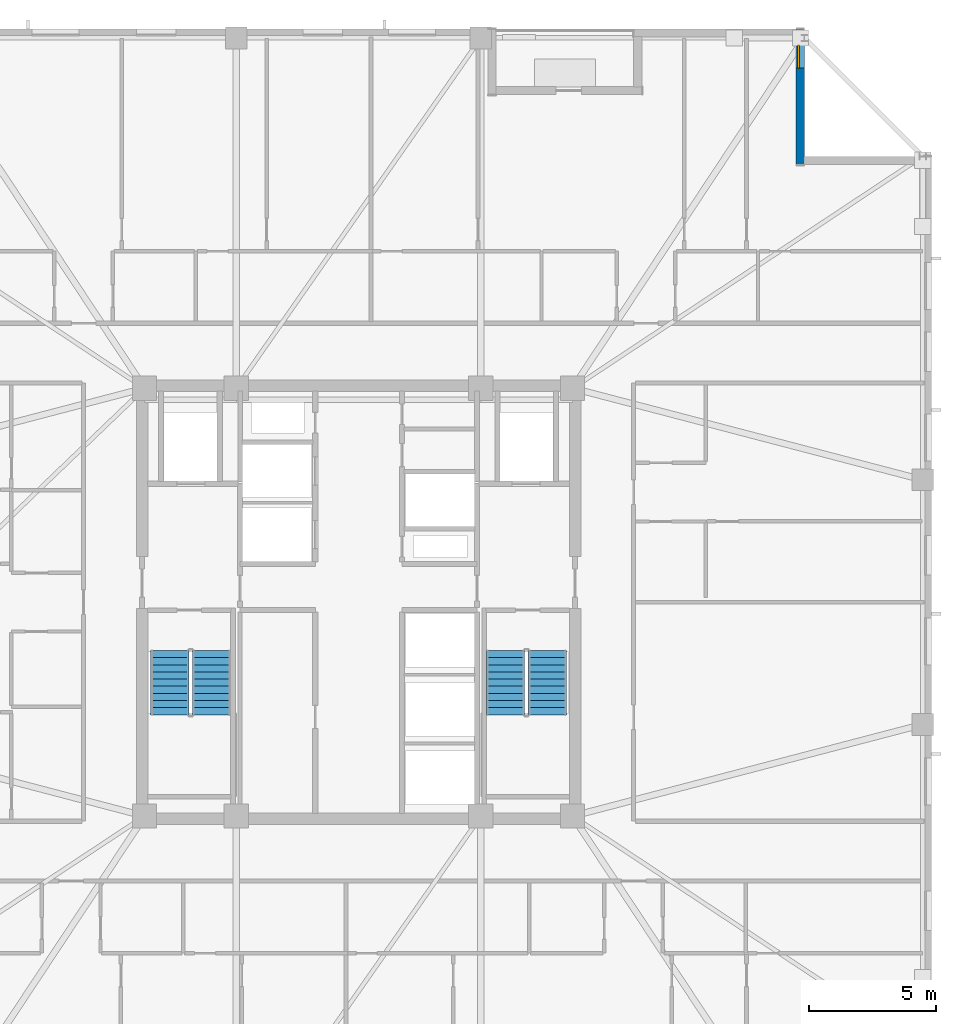
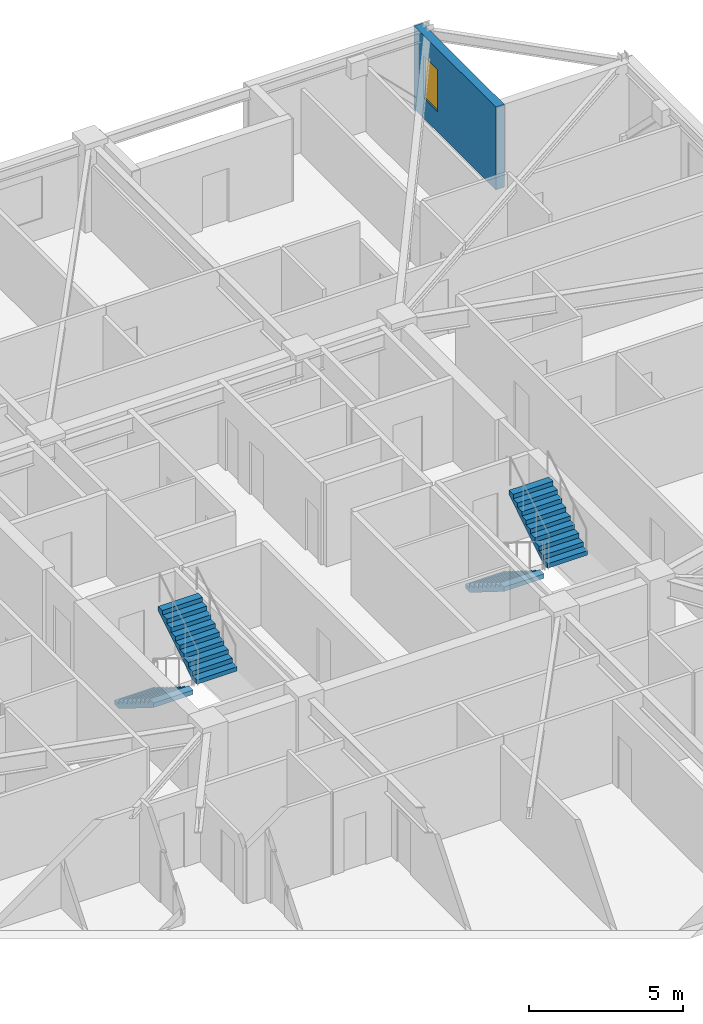
# One storey, part 12 of 17: 4 stair flights, 1 wall, 1 window, 1 opening, 2 elements without a shape of their own.
"""IFC4 building model written with IfcOpenShell, lengths in metres."""

from ifc_helpers import new_model, si_unit, direction, frame, frame_2d, origin, place, context, subcontext, project, spatial, polyline, rectangle, outline, extrude, material, layer, layer_set, type_object, element, fill, aggregate, save


model = new_model("IFC4")

# Units and contexts
model_context = context("Model", 3, precision=1e-05, world=origin(), true_north=direction((0.0, 1.0)))
body_context = subcontext(model_context, "Body", "Model", "MODEL_VIEW")
ifc_project = project(units=[si_unit("LENGTHUNIT", "METRE"), si_unit("AREAUNIT", "SQUARE_METRE"), si_unit("VOLUMEUNIT", "CUBIC_METRE"), si_unit("PLANEANGLEUNIT", "RADIAN"), si_unit("MASSUNIT", "GRAM", prefix="KILO")], contexts=[model_context])

# Site, building, storey
site_placement = place(None, origin())
site = spatial("IfcSite", under=ifc_project, at=site_placement, CompositionType="ELEMENT")
building_placement = place(site_placement, origin())
building = spatial("IfcBuilding", under=site, at=building_placement, Name="Cairnveth Concourse Tower", CompositionType="ELEMENT")
storey_placement = place(building_placement, frame((0.0, 0.0, 202.5)))
storey = spatial("IfcBuildingStorey", under=building, at=storey_placement, Name="L55", CompositionType="ELEMENT", Elevation=202.5)

# Wall, opening, window
ifc_material_1 = material(Name="Melbourne Buff Fired Clay Brick Masonry", Category="masonry")
ifc_layer = layer(ifc_material_1, 0.320068359375)
ifc_layer_set = layer_set([ifc_layer], Name="Melbourne Buff Fired Clay Brick Masonry")
wall_type = type_object("IfcWallType", Name="ZONE 3 BRICK PIER SPANDREL WALL 320", PredefinedType="SOLIDWALL", material=ifc_layer_set)
wall_placement = place(storey_placement, frame((69.340087890625, 61.5, 0.0), z_axis=(0.0, 0.0, 1.0), x_axis=(0.0, -1.0, 0.0)))
wall = element("IfcWall", 1, at=wall_placement, inside=storey, type_object=wall_type, Name="Exterior Wall EW-L55-S01", PredefinedType="SOLIDWALL", context=body_context, shape_type="SweptSolid", body=[
    extrude(rectangle(XDim=5.320068359375, YDim=0.320068359375, at=frame_2d((2.66015625, 0.0))), origin(), (0.0, 0.0, 1.0), 3.2900390625),
])
opening_placement = place(wall_placement, frame((0.6298828125, 0.0, 0.800048828125)))
opening = element("IfcOpeningElement", 2, at=opening_placement, cuts=wall, Name="Opening W13", PredefinedType="OPENING", context=body_context, shape_type="SweptSolid", body=[
    extrude(rectangle(XDim=0.89990234375, YDim=1.677978515625, at=frame_2d((0.449951171875, 0.8388671875))), frame((0.0, 0.169921875, 0.0), z_axis=(0.0, -1.0, 0.0), x_axis=(1.0, 0.0, 0.0)), (0.0, 0.0, 1.0), 0.340087890625),
])
ifc_material_2 = material(Name="Double Glazed Low-E Clear Glass", Category="glass")
window_type = type_object("IfcWindowType", Name="DEEP-SET BEDROOM LANCET WINDOW 900X1750", PartitioningType="DOUBLE_PANEL_VERTICAL", PredefinedType="WINDOW", material=ifc_material_2)
window_placement = place(opening_placement, origin())
window = element("IfcWindow", 3, at=window_placement, inside=storey, type_object=window_type, Name="Dwelling Lancet Window L55-DW4", OverallHeight=1.677978515625, OverallWidth=0.89990234375, PartitioningType="SINGLE_PANEL", PredefinedType="WINDOW", context=body_context, shape_type="SweptSolid", body=[
    extrude(rectangle(XDim=0.89990234375, YDim=1.677978515625, at=frame_2d((0.449951171875, 0.8388671875))), frame((0.0, -0.0400390625, 0.0), z_axis=(0.0, -1.0, 0.0), x_axis=(1.0, 0.0, 0.0)), (0.0, 0.0, 1.0), 0.06005859375),
])
fill(opening, window)

# Stair, stair flights
ifc_material_3 = material(Name="Precast concrete N50 (50 MPa)", Category="concrete")
stair_type = type_object("IfcStairType", Name="CORE DOG-LEG FIRE STAIR 1500", PredefinedType="HALF_TURN_STAIR", material=ifc_material_3)
stair_1_placement = place(storey_placement, origin())
stair_1 = element("IfcStair", 4, at=stair_1_placement, inside=storey, type_object=stair_type, Name="L55 Fire-Isolated Stair ST-1", PredefinedType="HALF_TURN_STAIR")
stair_flight_type = type_object("IfcStairFlightType", Name="PRECAST CONCRETE STAIR FLIGHT 1500", PredefinedType="STRAIGHT", material=ifc_material_3)
stair_flight_1_placement = place(storey_placement, frame((44.590087890625, 37.10009765625, 0.0), z_axis=(0.0, 0.0, 1.0), x_axis=(0.0, -1.0, 0.0)))
stair_flight_1 = element("IfcStairFlight", 5, at=stair_flight_1_placement, type_object=stair_flight_type, Name="ST-1 flight 1", NumberOfRisers=10, NumberOfTreads=9, PredefinedType="STRAIGHT", RiserHeight=0.175, TreadLength=0.28, context=body_context, shape_type="SweptSolid", body=[
    extrude(outline(polyline([(0.0, 0.0), (0.0, 0.175048828125), (0.280029296875, 0.175048828125), (0.280029296875, 0.35009765625), (0.56005859375, 0.35009765625), (0.56005859375, 0.52490234375), (0.840087890625, 0.52490234375), (0.840087890625, 0.699951171875), (1.1201171875, 0.699951171875), (1.1201171875, 0.875), (1.39990234375, 0.875), (1.39990234375, 1.050048828125), (1.679931640625, 1.050048828125), (1.679931640625, 1.22509765625), (1.9599609375, 1.22509765625), (1.9599609375, 1.39990234375), (2.239990234375, 1.39990234375), (2.239990234375, 1.574951171875), (2.52001953125, 1.574951171875), (2.52001953125, 1.75), (2.52001953125, 1.398193359375), (0.28271484375, 0.0), (0.0, 0.0)])), frame((0.0, 0.75, 0.0), z_axis=(0.0, -1.0, 0.0), x_axis=(1.0, 0.0, 0.0)), (0.0, 0.0, 1.0), 1.5),
])
stair_flight_2_placement = place(storey_placement, frame((46.22998046875, 34.580078125, 1.75), z_axis=(0.0, 0.0, 1.0), x_axis=(0.0, 1.0, 0.0)))
stair_flight_2 = element("IfcStairFlight", 6, at=stair_flight_2_placement, type_object=stair_flight_type, Name="ST-1 flight 2", NumberOfRisers=10, NumberOfTreads=9, PredefinedType="STRAIGHT", RiserHeight=0.175, TreadLength=0.28, context=body_context, shape_type="SweptSolid", body=[
    extrude(outline(polyline([(0.0, 0.0), (0.0, 0.175048828125), (0.280029296875, 0.175048828125), (0.280029296875, 0.35009765625), (0.56005859375, 0.35009765625), (0.56005859375, 0.52490234375), (0.840087890625, 0.52490234375), (0.840087890625, 0.699951171875), (1.1201171875, 0.699951171875), (1.1201171875, 0.875), (1.39990234375, 0.875), (1.39990234375, 1.050048828125), (1.679931640625, 1.050048828125), (1.679931640625, 1.22509765625), (1.9599609375, 1.22509765625), (1.9599609375, 1.39990234375), (2.239990234375, 1.39990234375), (2.239990234375, 1.574951171875), (2.52001953125, 1.574951171875), (2.52001953125, 1.75), (2.52001953125, 1.398193359375), (0.28271484375, 0.0), (0.0, 0.0)])), frame((0.0, 0.75, 0.0), z_axis=(0.0, -1.0, 0.0), x_axis=(1.0, 0.0, 0.0)), (0.0, 0.0, 1.0), 1.5),
])
aggregate(stair_1, [stair_flight_1, stair_flight_2])

stair_2_placement = place(storey_placement, origin())
stair_2 = element("IfcStair", 7, at=stair_2_placement, inside=storey, type_object=stair_type, Name="L55 Fire-Isolated Stair ST-2", PredefinedType="HALF_TURN_STAIR")
stair_flight_3_placement = place(storey_placement, frame((57.77001953125, 37.10009765625, 0.0), z_axis=(0.0, 0.0, 1.0), x_axis=(0.0, -1.0, 0.0)))
stair_flight_3 = element("IfcStairFlight", 8, at=stair_flight_3_placement, type_object=stair_flight_type, Name="ST-2 flight 1", NumberOfRisers=10, NumberOfTreads=9, PredefinedType="STRAIGHT", RiserHeight=0.175, TreadLength=0.28, context=body_context, shape_type="SweptSolid", body=[
    extrude(outline(polyline([(0.0, 0.0), (0.0, 0.175048828125), (0.280029296875, 0.175048828125), (0.280029296875, 0.35009765625), (0.56005859375, 0.35009765625), (0.56005859375, 0.52490234375), (0.840087890625, 0.52490234375), (0.840087890625, 0.699951171875), (1.1201171875, 0.699951171875), (1.1201171875, 0.875), (1.39990234375, 0.875), (1.39990234375, 1.050048828125), (1.679931640625, 1.050048828125), (1.679931640625, 1.22509765625), (1.9599609375, 1.22509765625), (1.9599609375, 1.39990234375), (2.239990234375, 1.39990234375), (2.239990234375, 1.574951171875), (2.52001953125, 1.574951171875), (2.52001953125, 1.75), (2.52001953125, 1.398193359375), (0.28271484375, 0.0), (0.0, 0.0)])), frame((0.0, 0.75, 0.0), z_axis=(0.0, -1.0, 0.0), x_axis=(1.0, 0.0, 0.0)), (0.0, 0.0, 1.0), 1.5),
])
stair_flight_4_placement = place(storey_placement, frame((59.409912109375, 34.580078125, 1.75), z_axis=(0.0, 0.0, 1.0), x_axis=(0.0, 1.0, 0.0)))
stair_flight_4 = element("IfcStairFlight", 9, at=stair_flight_4_placement, type_object=stair_flight_type, Name="ST-2 flight 2", NumberOfRisers=10, NumberOfTreads=9, PredefinedType="STRAIGHT", RiserHeight=0.175, TreadLength=0.28, context=body_context, shape_type="SweptSolid", body=[
    extrude(outline(polyline([(0.0, 0.0), (0.0, 0.175048828125), (0.280029296875, 0.175048828125), (0.280029296875, 0.35009765625), (0.56005859375, 0.35009765625), (0.56005859375, 0.52490234375), (0.840087890625, 0.52490234375), (0.840087890625, 0.699951171875), (1.1201171875, 0.699951171875), (1.1201171875, 0.875), (1.39990234375, 0.875), (1.39990234375, 1.050048828125), (1.679931640625, 1.050048828125), (1.679931640625, 1.22509765625), (1.9599609375, 1.22509765625), (1.9599609375, 1.39990234375), (2.239990234375, 1.39990234375), (2.239990234375, 1.574951171875), (2.52001953125, 1.574951171875), (2.52001953125, 1.75), (2.52001953125, 1.398193359375), (0.28271484375, 0.0), (0.0, 0.0)])), frame((0.0, 0.75, 0.0), z_axis=(0.0, -1.0, 0.0), x_axis=(1.0, 0.0, 0.0)), (0.0, 0.0, 1.0), 1.5),
])
aggregate(stair_2, [stair_flight_3, stair_flight_4])

save(model, "model.ifc")
